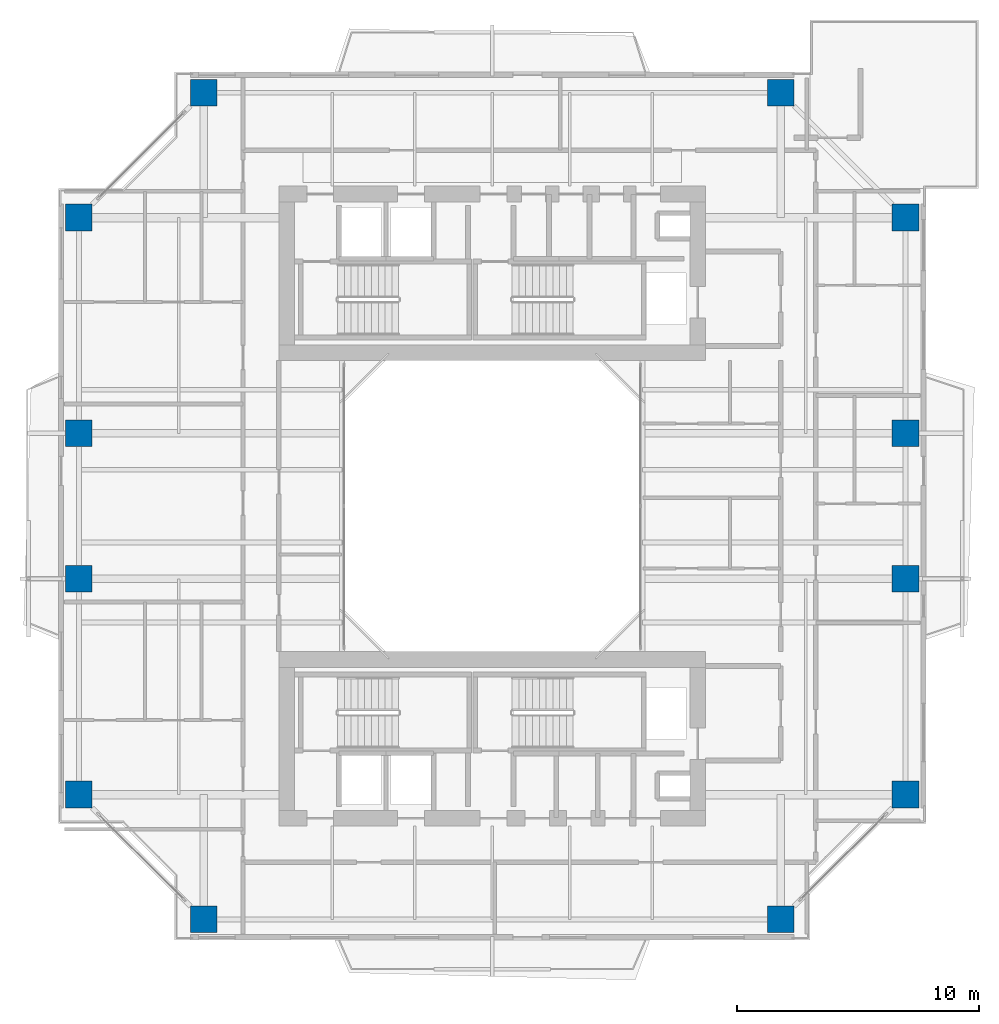
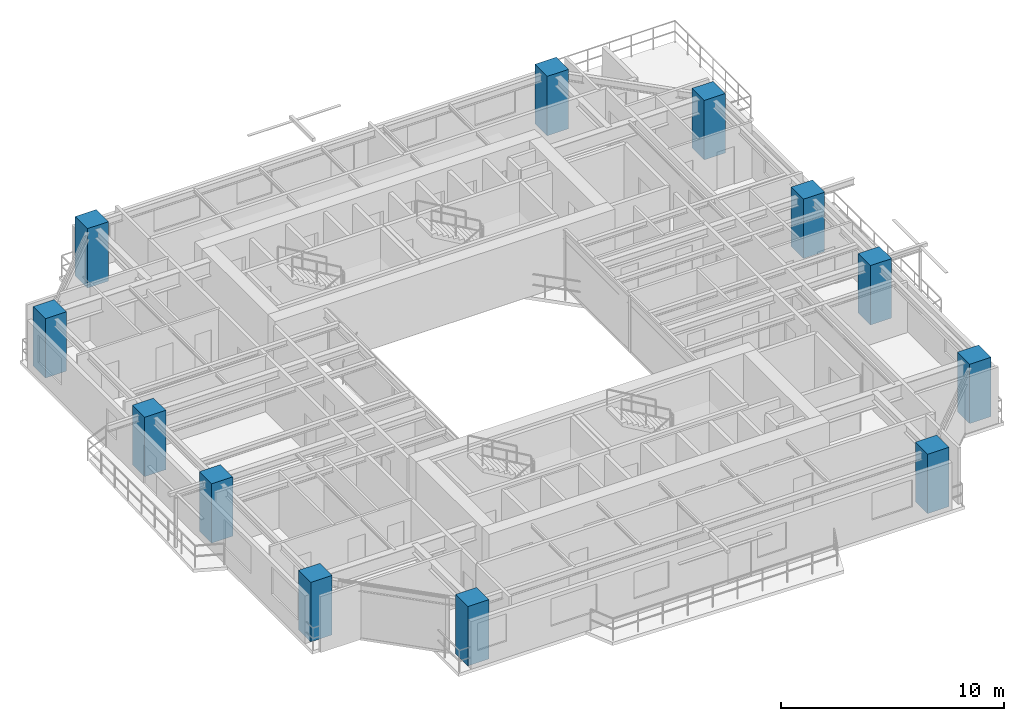
# One storey, part 1 of 17: 12 columns.
"""IFC4 building model written with IfcOpenShell, lengths in metres."""

from ifc_helpers import new_model, si_unit, direction, frame, origin, origin_2d, place, context, subcontext, project, spatial, rectangle, extrude, source, transform, mapped, material, material_profile, profile_set, type_object, element, save


model = new_model("IFC4")

# Units and contexts
model_context = context("Model", 3, precision=1e-05, world=origin(), true_north=direction((0.0, 1.0)))
body_context = subcontext(model_context, "Body", "Model", "MODEL_VIEW")
ifc_project = project(units=[si_unit("LENGTHUNIT", "METRE"), si_unit("AREAUNIT", "SQUARE_METRE"), si_unit("VOLUMEUNIT", "CUBIC_METRE"), si_unit("PLANEANGLEUNIT", "RADIAN"), si_unit("MASSUNIT", "GRAM", prefix="KILO"), si_unit("THERMODYNAMICTEMPERATUREUNIT", "KELVIN"), si_unit("POWERUNIT", "WATT")], contexts=[model_context])

# Site, building, storey
site_placement = place(None, origin())
site = spatial("IfcSite", under=ifc_project, at=site_placement, CompositionType="ELEMENT")
building_placement = place(site_placement, origin())
building = spatial("IfcBuilding", under=site, at=building_placement, Name="Qiaomeng Ring Towers", CompositionType="ELEMENT")
storey_placement = place(building_placement, frame((0.0, 0.0, 123.0)))
storey = spatial("IfcBuildingStorey", under=building, at=storey_placement, Name="L35", CompositionType="ELEMENT", Elevation=123.0)

# Columns
ifc_material = material(Name="Concrete C55", Category="concrete")
ifc_material_profile = material_profile(ifc_material, rectangle(XDim=1.10009765625, YDim=1.10009765625, at=origin_2d()), Name="RC COL 1100x1100")
ifc_profile_set = profile_set([ifc_material_profile], Name="Concrete C55")
column_type = type_object("IfcColumnType", Name="STR-COL-1100-C55", PredefinedType="COLUMN", material=ifc_profile_set)
shared_shape = source(origin(), body_context, "Body", "SweptSolid", [
    extrude(rectangle(XDim=1.10009765625, YDim=1.10009765625, at=origin_2d()), origin(), (0.0, 0.0, 1.0), 3.25),
])
for number, where, z_axis, x_axis, name in (
    (1, (7.10009765625, 5.949951171875, 0.0), (0.0, 0.0, 1.0), (1.0, 0.0, 0.0), "L35 column STR-COL-L35-T1-S1"),
    (2, (30.89990234375, 5.949951171875, 0.0), (0.0, 0.0, 1.0), (1.0, 0.0, 0.0), "L35 column STR-COL-L35-T1-S2"),
    (3, (36.050048828125, 11.10009765625, 0.0), (0.0, 0.0, 1.0), (1.0, 0.0, 0.0), "L35 column STR-COL-L35-T1-E1"),
    (4, (36.050048828125, 20.0, 0.0), (0.0, 0.0, 1.0), (1.0, 0.0, 0.0), "L35 column STR-COL-L35-T1-E2"),
    (5, (36.050048828125, 26.0, 0.0), (0.0, 0.0, 1.0), (1.0, 0.0, 0.0), "L35 column STR-COL-L35-T1-E3"),
    (6, (36.050048828125, 34.89990234375, 0.0), (0.0, 0.0, 1.0), (1.0, 0.0, 0.0), "L35 column STR-COL-L35-T1-E4"),
    (7, (30.89990234375, 40.050048828125, 0.0), (0.0, 0.0, 1.0), (1.0, 0.0, 0.0), "L35 column STR-COL-L35-T1-N2"),
    (8, (7.10009765625, 40.050048828125, 0.0), (0.0, 0.0, 1.0), (1.0, 0.0, 0.0), "L35 column STR-COL-L35-T1-N1"),
    (9, (1.949951171875, 34.89990234375, 0.0), (0.0, 0.0, 1.0), (1.0, 0.0, 0.0), "L35 column STR-COL-L35-T1-W4"),
    (10, (1.949951171875, 26.0, 0.0), (0.0, 0.0, 1.0), (1.0, 0.0, 0.0), "L35 column STR-COL-L35-T1-W3"),
    (11, (1.949951171875, 20.0, 0.0), (0.0, 0.0, 1.0), (1.0, 0.0, 0.0), "L35 column STR-COL-L35-T1-W2"),
    (12, (1.949951171875, 11.10009765625, 0.0), (0.0, 0.0, 1.0), (1.0, 0.0, 0.0), "L35 column STR-COL-L35-T1-W1"),
):
    element("IfcColumn", number, at=place(storey_placement, frame(where, z_axis=z_axis, x_axis=x_axis)), inside=storey, type_object=column_type, Name=name, PredefinedType="COLUMN", context=body_context, shape_type="MappedRepresentation", body=[
        mapped(shared_shape, transform((0.0, 0.0, 0.0), x_axis=(1.0, 0.0, 0.0), y_axis=(0.0, 1.0, 0.0), z_axis=(0.0, 0.0, 1.0), scale=1.0)),
    ])

save(model, "model.ifc")
